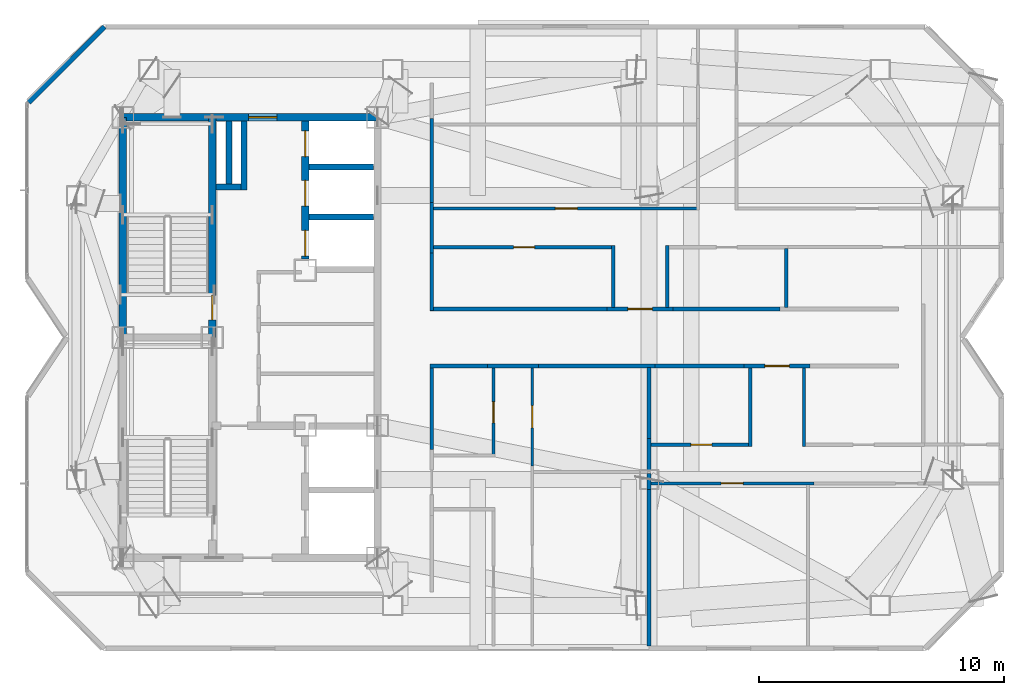
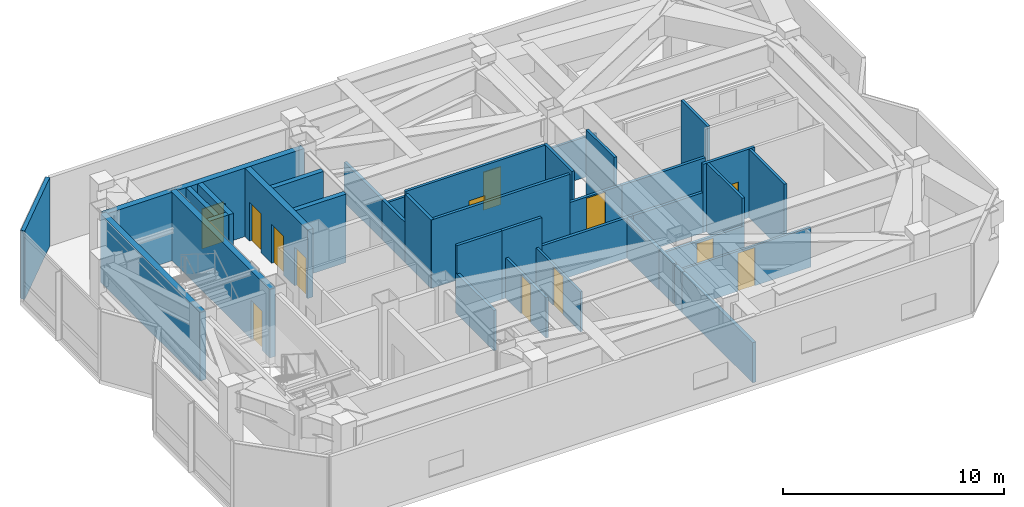
# One storey, part 11 of 15: 37 walls, 13 doors, 13 openings.
"""IFC4 building model written with IfcOpenShell, lengths in metres."""

from ifc_helpers import new_model, si_unit, direction, frame, frame_2d, origin, place, context, subcontext, project, spatial, rectangle, extrude, material, layer, layer_set, type_object, element, fill, save


model = new_model("IFC4")

# Units and contexts
model_context = context("Model", 3, precision=1e-05, world=origin(), true_north=direction((0.0, 1.0)))
body_context = subcontext(model_context, "Body", "Model", "MODEL_VIEW")
ifc_project = project(units=[si_unit("LENGTHUNIT", "METRE"), si_unit("AREAUNIT", "SQUARE_METRE"), si_unit("VOLUMEUNIT", "CUBIC_METRE"), si_unit("PLANEANGLEUNIT", "RADIAN"), si_unit("MASSUNIT", "GRAM", prefix="KILO")], contexts=[model_context])

# Site, building, storey
site_placement = place(None, origin())
site = spatial("IfcSite", under=ifc_project, at=site_placement, CompositionType="ELEMENT")
building_placement = place(site_placement, origin())
building = spatial("IfcBuilding", under=site, at=building_placement, Name="Khamvora Tower", CompositionType="ELEMENT")
storey_placement = place(building_placement, frame((0.0, 0.0, 290.449951171875)))
storey = spatial("IfcBuildingStorey", under=building, at=storey_placement, Name="L74", CompositionType="ELEMENT", Elevation=290.449951171875)

# Wall
ifc_material_1 = material(Name="Concrete C50/60", Category="concrete")
ifc_layer_1 = layer(ifc_material_1, 0.300048828125)
ifc_layer_set_1 = layer_set([ifc_layer_1], Name="Concrete C50/60")
wall_type_1 = type_object("IfcWallType", Name="WAL-CORE-300", PredefinedType="SHEAR", material=ifc_layer_set_1)
wall_1_placement = place(storey_placement, frame((29.0, 28.0, 0.0), z_axis=(0.0, 0.0, 1.0), x_axis=(0.0, 1.0, 0.0)))
element("IfcWall", 1, at=wall_1_placement, inside=storey, type_object=wall_type_1, Name="L74 central core west north wall", PredefinedType="SHEAR", context=body_context, shape_type="SweptSolid", body=[
    extrude(rectangle(XDim=9.0, YDim=0.300048828125, at=frame_2d((4.5, 0.0))), origin(), (0.0, 0.0, 1.0), 3.780029296875),
])

# Wall, opening, door
wall_2_placement = place(storey_placement, frame((29.0, 37.0, 0.0), z_axis=(0.0, 0.0, 1.0), x_axis=(1.0, 0.0, 0.0)))
wall_2 = element("IfcWall", 2, at=wall_2_placement, inside=storey, type_object=wall_type_1, Name="L74 central core north wall", PredefinedType="SHEAR", context=body_context, shape_type="SweptSolid", body=[
    extrude(rectangle(XDim=10.39990234375, YDim=0.300048828125, at=frame_2d((5.199951171875, 0.0))), origin(), (0.0, 0.0, 1.0), 3.780029296875),
])
opening_1_placement = place(wall_2_placement, frame((5.139892578125, 0.0, 0.0)))
opening_1 = element("IfcOpeningElement", 3, at=opening_1_placement, cuts=wall_2, Name="Opening D-SC1", PredefinedType="OPENING", context=body_context, shape_type="SweptSolid", body=[
    extrude(rectangle(XDim=1.14990234375, YDim=2.199951171875, at=frame_2d((0.574951171875, 1.10009765625))), frame((0.0, 0.159912109375, 0.0), z_axis=(0.0, -1.0, 0.0), x_axis=(1.0, 0.0, 0.0)), (0.0, 0.0, 1.0), 0.320068359375),
])
ifc_material_2 = material(Name="Powder-Coated Steel and Hardwood Leaf", Category="steel")
door_type_1 = type_object("IfcDoorType", Name="DOR-SCHL-1150", OperationType="NOTDEFINED", PredefinedType="DOOR", material=ifc_material_2)
door_1_placement = place(opening_1_placement, origin())
door_1 = element("IfcDoor", 4, at=door_1_placement, inside=storey, type_object=door_type_1, Name="L74 north core lobby to corridor fire door", OperationType="SINGLE_SWING_RIGHT", OverallHeight=2.199951171875, OverallWidth=1.14990234375, PredefinedType="DOOR", context=body_context, shape_type="SweptSolid", body=[
    extrude(rectangle(XDim=1.14990234375, YDim=2.199951171875, at=frame_2d((0.574951171875, 1.10009765625))), frame((0.0, 0.02490234375, 0.0), z_axis=(0.0, -1.0, 0.0), x_axis=(1.0, 0.0, 0.0)), (0.0, 0.0, 1.0), 0.050048828125),
])
fill(opening_1, door_1)

wall_3_placement = place(storey_placement, frame((32.64990234375, 28.0, 0.0), z_axis=(0.0, 0.0, 1.0), x_axis=(0.0, 1.0, 0.0)))
wall_3 = element("IfcWall", 5, at=wall_3_placement, inside=storey, type_object=wall_type_1, Name="L74 central core stair north spine wall", PredefinedType="SHEAR", context=body_context, shape_type="SweptSolid", body=[
    extrude(rectangle(XDim=9.0, YDim=0.300048828125, at=frame_2d((4.5, 0.0))), origin(), (0.0, 0.0, 1.0), 3.780029296875),
])
opening_2_placement = place(wall_3_placement, frame((0.719970703125, 0.0, 0.0)))
opening_2 = element("IfcOpeningElement", 6, at=opening_2_placement, cuts=wall_3, Name="Opening D-ST1", PredefinedType="OPENING", context=body_context, shape_type="SweptSolid", body=[
    extrude(rectangle(XDim=1.0, YDim=2.14990234375, at=frame_2d((0.5, 1.074951171875))), frame((0.0, 0.159912109375, 0.0), z_axis=(0.0, -1.0, 0.0), x_axis=(1.0, 0.0, 0.0)), (0.0, 0.0, 1.0), 0.320068359375),
])
door_type_2 = type_object("IfcDoorType", Name="DOR-STAIR-1000", OperationType="NOTDEFINED", PredefinedType="DOOR", material=ifc_material_2)
door_2_placement = place(opening_2_placement, origin())
door_2 = element("IfcDoor", 7, at=door_2_placement, inside=storey, type_object=door_type_2, Name="L74 exit stair ST-02 fire door", OperationType="SINGLE_SWING_RIGHT", OverallHeight=2.14990234375, OverallWidth=1.0, PredefinedType="DOOR", context=body_context, shape_type="SweptSolid", body=[
    extrude(rectangle(XDim=1.0, YDim=2.14990234375, at=frame_2d((0.5, 1.074951171875))), frame((0.0, 0.02490234375, 0.0), z_axis=(0.0, -1.0, 0.0), x_axis=(1.0, 0.0, 0.0)), (0.0, 0.0, 1.0), 0.050048828125),
])
fill(opening_2, door_2)

# Wall, openings, doors
wall_4_placement = place(storey_placement, frame((36.449951171875, 31.199951171875, 0.0), z_axis=(0.0, 0.0, 1.0), x_axis=(0.0, 1.0, 0.0)))
wall_4 = element("IfcWall", 8, at=wall_4_placement, inside=storey, type_object=wall_type_1, Name="L74 central core lift bank central wall", PredefinedType="SHEAR", context=body_context, shape_type="SweptSolid", body=[
    extrude(rectangle(XDim=5.64599609375, YDim=0.300048828125, at=frame_2d((2.822998046875, 0.0))), origin(), (0.0, 0.0, 1.0), 3.780029296875),
])
opening_3_placement = place(wall_4_placement, frame((0.125, 0.0, 0.0)))
opening_3 = element("IfcOpeningElement", 9, at=opening_3_placement, cuts=wall_4, Name="Opening LD-PL", PredefinedType="OPENING", context=body_context, shape_type="SweptSolid", body=[
    extrude(rectangle(XDim=1.050048828125, YDim=2.14990234375, at=frame_2d((0.52490234375, 1.074951171875))), frame((0.0, 0.159912109375, 0.0), z_axis=(0.0, -1.0, 0.0), x_axis=(1.0, 0.0, 0.0)), (0.0, 0.0, 1.0), 0.320068359375),
])
opening_4_placement = place(wall_4_placement, frame((2.175048828125, 0.0, 0.0)))
opening_4 = element("IfcOpeningElement", 10, at=opening_4_placement, cuts=wall_4, Name="Opening LD-PL", PredefinedType="OPENING", context=body_context, shape_type="SweptSolid", body=[
    extrude(rectangle(XDim=1.050048828125, YDim=2.14990234375, at=frame_2d((0.52490234375, 1.074951171875))), frame((0.0, 0.159912109375, 0.0), z_axis=(0.0, -1.0, 0.0), x_axis=(1.0, 0.0, 0.0)), (0.0, 0.0, 1.0), 0.320068359375),
])
opening_5_placement = place(wall_4_placement, frame((4.195068359375, 0.0, 0.0)))
opening_5 = element("IfcOpeningElement", 11, at=opening_5_placement, cuts=wall_4, Name="Opening LD-PL", PredefinedType="OPENING", context=body_context, shape_type="SweptSolid", body=[
    extrude(rectangle(XDim=1.050048828125, YDim=2.14990234375, at=frame_2d((0.52490234375, 1.074951171875))), frame((0.0, 0.159912109375, 0.0), z_axis=(0.0, -1.0, 0.0), x_axis=(1.0, 0.0, 0.0)), (0.0, 0.0, 1.0), 0.320068359375),
])
door_type_3 = type_object("IfcDoorType", Name="DOR-LIFT-1050", OperationType="SLIDING_TO_LEFT", PredefinedType="DOOR", material=ifc_material_2)
door_3_placement = place(opening_3_placement, origin())
door_3 = element("IfcDoor", 12, at=door_3_placement, inside=storey, type_object=door_type_3, Name="L74 lift landing sliding door PH-01", OperationType="SLIDING_TO_LEFT", OverallHeight=2.14990234375, OverallWidth=1.050048828125, PredefinedType="DOOR", context=body_context, shape_type="SweptSolid", body=[
    extrude(rectangle(XDim=1.050048828125, YDim=2.14990234375, at=frame_2d((0.52490234375, 1.074951171875))), frame((0.0, 0.02490234375, 0.0), z_axis=(0.0, -1.0, 0.0), x_axis=(1.0, 0.0, 0.0)), (0.0, 0.0, 1.0), 0.050048828125),
])
fill(opening_3, door_3)
door_4_placement = place(opening_4_placement, origin())
door_4 = element("IfcDoor", 13, at=door_4_placement, inside=storey, type_object=door_type_3, Name="L74 lift landing sliding door PH-02", OperationType="SLIDING_TO_LEFT", OverallHeight=2.14990234375, OverallWidth=1.050048828125, PredefinedType="DOOR", context=body_context, shape_type="SweptSolid", body=[
    extrude(rectangle(XDim=1.050048828125, YDim=2.14990234375, at=frame_2d((0.52490234375, 1.074951171875))), frame((0.0, 0.02490234375, 0.0), z_axis=(0.0, -1.0, 0.0), x_axis=(1.0, 0.0, 0.0)), (0.0, 0.0, 1.0), 0.050048828125),
])
fill(opening_4, door_4)
door_5_placement = place(opening_5_placement, origin())
door_5 = element("IfcDoor", 14, at=door_5_placement, inside=storey, type_object=door_type_3, Name="L74 lift landing sliding door PH-03", OperationType="SLIDING_TO_LEFT", OverallHeight=2.14990234375, OverallWidth=1.050048828125, PredefinedType="DOOR", context=body_context, shape_type="SweptSolid", body=[
    extrude(rectangle(XDim=1.050048828125, YDim=2.14990234375, at=frame_2d((0.52490234375, 1.074951171875))), frame((0.0, 0.02490234375, 0.0), z_axis=(0.0, -1.0, 0.0), x_axis=(1.0, 0.0, 0.0)), (0.0, 0.0, 1.0), 0.050048828125),
])
fill(opening_5, door_5)

# Walls
ifc_material_3 = material(Name="Fire-Rated Drywall and Steel Stud", Category="steel")
ifc_layer_2 = layer(ifc_material_3, 0.14990234375)
ifc_layer_set_2 = layer_set([ifc_layer_2], Name="Fire-Rated Drywall and Steel Stud")
wall_type_2 = type_object("IfcWallType", Name="WAL-CORR-150", PredefinedType="STANDARD", material=ifc_layer_set_2)
wall_5_placement = place(storey_placement, frame((45.97412109375, 26.8349609375, 0.0), z_axis=(0.0, 0.0, 1.0), x_axis=(-1.0, 0.0, 0.0)))
element("IfcWall", 15, at=wall_5_placement, inside=storey, type_object=wall_type_2, Name="L74 interior partition wall 008", PredefinedType="STANDARD", context=body_context, shape_type="SweptSolid", body=[
    extrude(rectangle(XDim=2.078125, YDim=0.14990234375, at=frame_2d((1.0390625, 0.0))), origin(), (0.0, 0.0, 1.0), 3.780029296875),
])
wall_6_placement = place(storey_placement, frame((43.89599609375, 26.8349609375, 0.0), z_axis=(0.0, 0.0, 1.0), x_axis=(-1.0, 0.0, 0.0)))
element("IfcWall", 16, at=wall_6_placement, inside=storey, type_object=wall_type_2, Name="L74 interior partition wall 010", PredefinedType="STANDARD", context=body_context, shape_type="SweptSolid", body=[
    extrude(rectangle(XDim=2.345947265625, YDim=0.14990234375, at=frame_2d((1.1728515625, 0.0))), origin(), (0.0, 0.0, 1.0), 3.780029296875),
])
wall_7_placement = place(storey_placement, frame((41.614990234375, 26.89794921875, 0.0), z_axis=(0.0, 0.0, 1.0), x_axis=(0.0, -1.0, 0.0)))
element("IfcWall", 17, at=wall_7_placement, inside=storey, type_object=wall_type_2, Name="L74 interior partition wall 011", PredefinedType="STANDARD", context=body_context, shape_type="SweptSolid", body=[
    extrude(rectangle(XDim=3.46484375, YDim=0.14990234375, at=frame_2d((1.732421875, 0.0))), origin(), (0.0, 0.0, 1.0), 2.219970703125),
])
wall_8_placement = place(storey_placement, frame((50.743896484375, 26.8349609375, 0.0), z_axis=(0.0, 0.0, 1.0), x_axis=(-1.0, 0.0, 0.0)))
element("IfcWall", 18, at=wall_8_placement, inside=storey, type_object=wall_type_2, Name="L74 interior partition wall 013", PredefinedType="STANDARD", context=body_context, shape_type="SweptSolid", body=[
    extrude(rectangle(XDim=4.769775390625, YDim=0.14990234375, at=frame_2d((2.384765625, 0.0))), origin(), (0.0, 0.0, 1.0), 2.219970703125),
])

# Wall, opening, door
wall_9_placement = place(storey_placement, frame((57.080078125, 26.8349609375, 0.0), z_axis=(0.0, 0.0, 1.0), x_axis=(-1.0, 0.0, 0.0)))
wall_9 = element("IfcWall", 19, at=wall_9_placement, inside=storey, type_object=wall_type_2, Name="L74 interior partition wall 014", PredefinedType="STANDARD", context=body_context, shape_type="SweptSolid", body=[
    extrude(rectangle(XDim=2.697998046875, YDim=0.14990234375, at=frame_2d((1.34912109375, 0.0))), origin(), (0.0, 0.0, 1.0), 3.780029296875),
])
opening_6_placement = place(wall_9_placement, frame((0.84912109375, 0.0, 0.0)))
opening_6 = element("IfcOpeningElement", 20, at=opening_6_placement, cuts=wall_9, Name="Opening D-U1", PredefinedType="OPENING", context=body_context, shape_type="SweptSolid", body=[
    extrude(rectangle(XDim=1.0, YDim=2.14990234375, at=frame_2d((0.5, 1.074951171875))), frame((0.0, 0.0849609375, 0.0), z_axis=(0.0, -1.0, 0.0), x_axis=(1.0, 0.0, 0.0)), (0.0, 0.0, 1.0), 0.169921875),
])
door_type_4 = type_object("IfcDoorType", Name="DOR-UNIT-1000", OperationType="NOTDEFINED", PredefinedType="DOOR", material=ifc_material_2)
door_6_placement = place(opening_6_placement, origin())
door_6 = element("IfcDoor", 21, at=door_6_placement, inside=storey, type_object=door_type_4, Name="L74 interior door COR-74DH", OperationType="SINGLE_SWING_LEFT", OverallHeight=2.14990234375, OverallWidth=1.0, PredefinedType="DOOR", context=body_context, shape_type="SweptSolid", body=[
    extrude(rectangle(XDim=1.0, YDim=2.14990234375, at=frame_2d((0.5, 1.074951171875))), frame((0.0, 0.02490234375, 0.0), z_axis=(0.0, -1.0, 0.0), x_axis=(1.0, 0.0, 0.0)), (0.0, 0.0, 1.0), 0.050048828125),
])
fill(opening_6, door_6)

# Wall
wall_10_placement = place(storey_placement, frame((54.382080078125, 26.8349609375, 0.0), z_axis=(0.0, 0.0, 1.0), x_axis=(-1.0, 0.0, 0.0)))
element("IfcWall", 22, at=wall_10_placement, inside=storey, type_object=wall_type_2, Name="L74 interior partition wall 015", PredefinedType="STANDARD", context=body_context, shape_type="SweptSolid", body=[
    extrude(rectangle(XDim=3.63818359375, YDim=0.14990234375, at=frame_2d((1.819091796875, 0.0))), origin(), (0.0, 0.0, 1.0), 2.219970703125),
])

# Wall, opening, door
wall_11_placement = place(storey_placement, frame((48.787109375, 29.1650390625, 0.0), z_axis=(0.0, 0.0, 1.0), x_axis=(1.0, 0.0, 0.0)))
wall_11 = element("IfcWall", 23, at=wall_11_placement, inside=storey, type_object=wall_type_2, Name="L74 interior partition wall 018", PredefinedType="STANDARD", context=body_context, shape_type="SweptSolid", body=[
    extrude(rectangle(XDim=2.697998046875, YDim=0.14990234375, at=frame_2d((1.34912109375, 0.0))), origin(), (0.0, 0.0, 1.0), 2.219970703125),
])
opening_7_placement = place(wall_11_placement, frame((0.84912109375, 0.0, 0.0)))
opening_7 = element("IfcOpeningElement", 24, at=opening_7_placement, cuts=wall_11, Name="Opening D-U1", PredefinedType="OPENING", context=body_context, shape_type="SweptSolid", body=[
    extrude(rectangle(XDim=1.0, YDim=2.14990234375, at=frame_2d((0.5, 1.074951171875))), frame((0.0, 0.0849609375, 0.0), z_axis=(0.0, -1.0, 0.0), x_axis=(1.0, 0.0, 0.0)), (0.0, 0.0, 1.0), 0.169921875),
])
door_7_placement = place(opening_7_placement, origin())
door_7 = element("IfcDoor", 25, at=door_7_placement, inside=storey, type_object=door_type_4, Name="L74 interior door COR-74EH", OperationType="SINGLE_SWING_RIGHT", OverallHeight=2.14990234375, OverallWidth=1.0, PredefinedType="DOOR", context=body_context, shape_type="SweptSolid", body=[
    extrude(rectangle(XDim=1.0, YDim=2.14990234375, at=frame_2d((0.5, 1.074951171875))), frame((0.0, 0.02490234375, 0.0), z_axis=(0.0, -1.0, 0.0), x_axis=(1.0, 0.0, 0.0)), (0.0, 0.0, 1.0), 0.050048828125),
])
fill(opening_7, door_7)

# Walls
wall_12_placement = place(storey_placement, frame((41.614990234375, 33.52392578125, 0.0), z_axis=(0.0, 0.0, 1.0), x_axis=(0.0, -1.0, 0.0)))
element("IfcWall", 26, at=wall_12_placement, inside=storey, type_object=wall_type_2, Name="L74 interior partition wall 019", PredefinedType="STANDARD", context=body_context, shape_type="SweptSolid", body=[
    extrude(rectangle(XDim=2.077880859375, YDim=0.14990234375, at=frame_2d((1.0390625, 0.0))), origin(), (0.0, 0.0, 1.0), 2.219970703125),
])
wall_13_placement = place(storey_placement, frame((51.485107421875, 29.1650390625, 0.0), z_axis=(0.0, 0.0, 1.0), x_axis=(1.0, 0.0, 0.0)))
element("IfcWall", 27, at=wall_13_placement, inside=storey, type_object=wall_type_2, Name="L74 interior partition wall 020", PredefinedType="STANDARD", context=body_context, shape_type="SweptSolid", body=[
    extrude(rectangle(XDim=4.366943359375, YDim=0.14990234375, at=frame_2d((2.18359375, 0.0))), origin(), (0.0, 0.0, 1.0), 2.219970703125),
])
wall_14_placement = place(storey_placement, frame((41.550048828125, 29.1650390625, 0.0), z_axis=(0.0, 0.0, 1.0), x_axis=(1.0, 0.0, 0.0)))
element("IfcWall", 28, at=wall_14_placement, inside=storey, type_object=wall_type_2, Name="L74 interior partition wall 021", PredefinedType="STANDARD", context=body_context, shape_type="SweptSolid", body=[
    extrude(rectangle(XDim=7.237060546875, YDim=0.14990234375, at=frame_2d((3.61865234375, 0.0))), origin(), (0.0, 0.0, 1.0), 3.780029296875),
])
wall_15_placement = place(storey_placement, frame((41.614990234375, 31.446044921875, 0.0), z_axis=(0.0, 0.0, 1.0), x_axis=(0.0, -1.0, 0.0)))
element("IfcWall", 29, at=wall_15_placement, inside=storey, type_object=wall_type_2, Name="L74 interior partition wall 022", PredefinedType="STANDARD", context=body_context, shape_type="SweptSolid", body=[
    extrude(rectangle(XDim=2.343994140625, YDim=0.14990234375, at=frame_2d((1.171875, 0.0))), origin(), (0.0, 0.0, 1.0), 3.780029296875),
])
wall_16_placement = place(storey_placement, frame((41.614990234375, 36.9599609375, 0.0), z_axis=(0.0, 0.0, 1.0), x_axis=(0.0, -1.0, 0.0)))
element("IfcWall", 30, at=wall_16_placement, inside=storey, type_object=wall_type_2, Name="L74 interior partition wall 023", PredefinedType="STANDARD", context=body_context, shape_type="SweptSolid", body=[
    extrude(rectangle(XDim=3.43603515625, YDim=0.14990234375, at=frame_2d((1.718017578125, 0.0))), origin(), (0.0, 0.0, 1.0), 2.219970703125),
])
ifc_material_4 = material(Name="Acoustic Double-Stud Fire Wall", Category="gypsum")
ifc_layer_3 = layer(ifc_material_4, 0.179931640625)
ifc_layer_set_3 = layer_set([ifc_layer_3], Name="Acoustic Double-Stud Fire Wall")
wall_type_3 = type_object("IfcWallType", Name="WAL-CORR-180", PredefinedType="STANDARD", material=ifc_layer_set_3)
wall_17_placement = place(storey_placement, frame((50.4951171875, 22.445068359375, 0.0), z_axis=(0.0, 0.0, 1.0), x_axis=(0.0, -1.0, 0.0)))
element("IfcWall", 31, at=wall_17_placement, inside=storey, type_object=wall_type_3, Name="L74 interior partition wall 032", PredefinedType="STANDARD", context=body_context, shape_type="SweptSolid", body=[
    extrude(rectangle(XDim=0.64697265625, YDim=0.179931640625, at=frame_2d((0.323486328125, 0.0))), origin(), (0.0, 0.0, 1.0), 2.219970703125),
])
wall_18_placement = place(storey_placement, frame((50.4951171875, 21.798095703125, 0.0), z_axis=(0.0, 0.0, 1.0), x_axis=(0.0, -1.0, 0.0)))
element("IfcWall", 32, at=wall_18_placement, inside=storey, type_object=wall_type_3, Name="L74 interior partition wall 033", PredefinedType="STANDARD", context=body_context, shape_type="SweptSolid", body=[
    extrude(rectangle(XDim=6.406005859375, YDim=0.179931640625, at=frame_2d((3.203125, 0.0))), origin(), (0.0, 0.0, 1.0), 2.219970703125),
])
wall_19_placement = place(storey_placement, frame((50.4951171875, 23.866943359375, 0.0), z_axis=(0.0, 0.0, 1.0), x_axis=(0.0, -1.0, 0.0)))
element("IfcWall", 33, at=wall_19_placement, inside=storey, type_object=wall_type_3, Name="L74 interior partition wall 034", PredefinedType="STANDARD", context=body_context, shape_type="SweptSolid", body=[
    extrude(rectangle(XDim=1.2919921875, YDim=0.179931640625, at=frame_2d((0.64599609375, 0.0))), origin(), (0.0, 0.0, 1.0), 2.219970703125),
])
wall_20_placement = place(storey_placement, frame((50.4951171875, 26.77001953125, 0.0), z_axis=(0.0, 0.0, 1.0), x_axis=(0.0, -1.0, 0.0)))
element("IfcWall", 34, at=wall_20_placement, inside=storey, type_object=wall_type_3, Name="L74 interior partition wall 035", PredefinedType="STANDARD", context=body_context, shape_type="SweptSolid", body=[
    extrude(rectangle(XDim=2.903076171875, YDim=0.179931640625, at=frame_2d((1.45166015625, 0.0))), origin(), (0.0, 0.0, 1.0), 2.219970703125),
])
ifc_material_5 = material(Name="Precast concrete C40/50", Category="concrete")
ifc_layer_4 = layer(ifc_material_5, 0.199951171875)
ifc_layer_set_4 = layer_set([ifc_layer_4], Name="Precast concrete C40/50")
wall_type_4 = type_object("IfcWallType", Name="WAL-EXT-200", PredefinedType="STANDARD", material=ifc_layer_set_4)
wall_21_placement = place(storey_placement, frame((25.14404296875, 37.60302734375, 0.0), z_axis=(0.0, 0.0, 1.0), x_axis=(0.707106781187, 0.707106781187, 0.0)))
element("IfcWall", 35, at=wall_21_placement, inside=storey, type_object=wall_type_4, Name="L74 exterior facade wall 06.1", PredefinedType="STANDARD", context=body_context, shape_type="SweptSolid", body=[
    extrude(rectangle(XDim=4.379638671875, YDim=0.199951171875, at=frame_2d((2.18994140625, 0.0))), origin(), (0.0, 0.0, 1.0), 3.780029296875),
])

# Wall, opening, door
ifc_material_6 = material(Name="Gypsum Plasterboard Partition", Category="gypsum")
ifc_layer_5 = layer(ifc_material_6, 0.1201171875)
ifc_layer_set_5 = layer_set([ifc_layer_5], Name="Gypsum Plasterboard Partition")
wall_type_5 = type_object("IfcWallType", Name="WAL-PART-120", PredefinedType="PARTITIONING", material=ifc_layer_set_5)
wall_22_placement = place(storey_placement, frame((45.72509765625, 26.77001953125, 0.0), z_axis=(0.0, 0.0, 1.0), x_axis=(0.0, -1.0, 0.0)))
wall_22 = element("IfcWall", 36, at=wall_22_placement, inside=storey, type_object=wall_type_5, Name="L74 interior partition wall 030", PredefinedType="PARTITIONING", context=body_context, shape_type="SweptSolid", body=[
    extrude(rectangle(XDim=4.010986328125, YDim=0.1201171875, at=frame_2d((2.00537109375, 0.0))), origin(), (0.0, 0.0, 1.0), 2.219970703125),
])
opening_8_placement = place(wall_22_placement, frame((1.555908203125, 0.0, 0.0)))
opening_8 = element("IfcOpeningElement", 37, at=opening_8_placement, cuts=wall_22, Name="Opening D-RM1", PredefinedType="OPENING", context=body_context, shape_type="SweptSolid", body=[
    extrude(rectangle(XDim=0.89990234375, YDim=2.10009765625, at=frame_2d((0.449951171875, 1.050048828125))), frame((0.0, 0.070068359375, 0.0), z_axis=(0.0, -1.0, 0.0), x_axis=(1.0, 0.0, 0.0)), (0.0, 0.0, 1.0), 0.14013671875),
])
door_type_5 = type_object("IfcDoorType", Name="DOR-ROOM-900", OperationType="NOTDEFINED", PredefinedType="DOOR", material=ifc_material_2)
door_8_placement = place(opening_8_placement, origin())
door_8 = element("IfcDoor", 38, at=door_8_placement, inside=storey, type_object=door_type_5, Name="L74 interior door 74CH-74CR2", OperationType="SINGLE_SWING_RIGHT", OverallHeight=2.10009765625, OverallWidth=0.89990234375, PredefinedType="DOOR", context=body_context, shape_type="SweptSolid", body=[
    extrude(rectangle(XDim=0.89990234375, YDim=2.10009765625, at=frame_2d((0.449951171875, 1.050048828125))), frame((0.0, 0.02490234375, 0.0), z_axis=(0.0, -1.0, 0.0), x_axis=(1.0, 0.0, 0.0)), (0.0, 0.0, 1.0), 0.050048828125),
])
fill(opening_8, door_8)

wall_23_placement = place(storey_placement, frame((57.240966796875, 22.0419921875, 0.0), z_axis=(0.0, 0.0, 1.0), x_axis=(-1.0, 0.0, 0.0)))
wall_23 = element("IfcWall", 39, at=wall_23_placement, inside=storey, type_object=wall_type_5, Name="L74 interior partition wall 042", PredefinedType="PARTITIONING", context=body_context, shape_type="SweptSolid", body=[
    extrude(rectangle(XDim=6.6640625, YDim=0.1201171875, at=frame_2d((3.33203125, 0.0))), origin(), (0.0, 0.0, 1.0), 2.219970703125),
])
opening_9_placement = place(wall_23_placement, frame((2.903076171875, 0.0, 0.0)))
opening_9 = element("IfcOpeningElement", 40, at=opening_9_placement, cuts=wall_23, Name="Opening D-RM1", PredefinedType="OPENING", context=body_context, shape_type="SweptSolid", body=[
    extrude(rectangle(XDim=0.89990234375, YDim=2.10009765625, at=frame_2d((0.449951171875, 1.050048828125))), frame((0.0, 0.070068359375, 0.0), z_axis=(0.0, -1.0, 0.0), x_axis=(1.0, 0.0, 0.0)), (0.0, 0.0, 1.0), 0.14013671875),
])
door_9_placement = place(opening_9_placement, origin())
door_9 = element("IfcDoor", 41, at=door_9_placement, inside=storey, type_object=door_type_5, Name="L74 interior door 74DH-74DR1", OperationType="SINGLE_SWING_LEFT", OverallHeight=2.10009765625, OverallWidth=0.89990234375, PredefinedType="DOOR", context=body_context, shape_type="SweptSolid", body=[
    extrude(rectangle(XDim=0.89990234375, YDim=2.10009765625, at=frame_2d((0.449951171875, 1.050048828125))), frame((0.0, 0.02490234375, 0.0), z_axis=(0.0, -1.0, 0.0), x_axis=(1.0, 0.0, 0.0)), (0.0, 0.0, 1.0), 0.050048828125),
])
fill(opening_9, door_9)

wall_24_placement = place(storey_placement, frame((41.681884765625, 33.27490234375, 0.0), z_axis=(0.0, 0.0, 1.0), x_axis=(1.0, 0.0, 0.0)))
wall_24 = element("IfcWall", 42, at=wall_24_placement, inside=storey, type_object=wall_type_5, Name="L74 interior partition wall 051", PredefinedType="PARTITIONING", context=body_context, shape_type="SweptSolid", body=[
    extrude(rectangle(XDim=10.883056640625, YDim=0.1201171875, at=frame_2d((5.44140625, 0.0))), origin(), (0.0, 0.0, 1.0), 2.219970703125),
])
opening_10_placement = place(wall_24_placement, frame((4.990966796875, 0.0, 0.0)))
opening_10 = element("IfcOpeningElement", 43, at=opening_10_placement, cuts=wall_24, Name="Opening D-RM1", PredefinedType="OPENING", context=body_context, shape_type="SweptSolid", body=[
    extrude(rectangle(XDim=0.89990234375, YDim=2.10009765625, at=frame_2d((0.449951171875, 1.050048828125))), frame((0.0, 0.070068359375, 0.0), z_axis=(0.0, -1.0, 0.0), x_axis=(1.0, 0.0, 0.0)), (0.0, 0.0, 1.0), 0.14013671875),
])
door_10_placement = place(opening_10_placement, origin())
door_10 = element("IfcDoor", 44, at=door_10_placement, inside=storey, type_object=door_type_5, Name="L74 interior door 74EH-74ER1", OperationType="SINGLE_SWING_RIGHT", OverallHeight=2.10009765625, OverallWidth=0.89990234375, PredefinedType="DOOR", context=body_context, shape_type="SweptSolid", body=[
    extrude(rectangle(XDim=0.89990234375, YDim=2.10009765625, at=frame_2d((0.449951171875, 1.050048828125))), frame((0.0, 0.02490234375, 0.0), z_axis=(0.0, -1.0, 0.0), x_axis=(1.0, 0.0, 0.0)), (0.0, 0.0, 1.0), 0.050048828125),
])
fill(opening_10, door_10)

# Walls
ifc_material_7 = material(Name="Concrete C40/50", Category="concrete")
ifc_layer_6 = layer(ifc_material_7, 0.25)
ifc_layer_set_6 = layer_set([ifc_layer_6], Name="Concrete C40/50")
wall_type_6 = type_object("IfcWallType", Name="WAL-PODS-250", PredefinedType="SHEAR", material=ifc_layer_set_6)
for number, where, z_axis, x_axis, name in (
    (45, (36.60400390625, 32.925048828125, 0.0), (0.0, 0.0, 1.0), (1.0, 0.0, 0.0), "L74 lift shaft divider wall PH-01"),
    (46, (36.60400390625, 34.97509765625, 0.0), (0.0, 0.0, 1.0), (1.0, 0.0, 0.0), "L74 lift shaft divider wall PH-02"),
):
    element("IfcWall", number, at=place(storey_placement, frame(where, z_axis=z_axis, x_axis=x_axis)), inside=storey, type_object=wall_type_6, Name=name, PredefinedType="SHEAR", context=body_context, shape_type="SweptSolid", body=[
        extrude(rectangle(XDim=2.64208984375, YDim=0.25, at=frame_2d((1.321044921875, 0.0))), origin(), (0.0, 0.0, 1.0), 3.780029296875),
    ])
wall_25_placement = place(storey_placement, frame((33.955078125, 34.02490234375, 0.0), z_axis=(0.0, 0.0, 1.0), x_axis=(0.0, 1.0, 0.0)))
element("IfcWall", 47, at=wall_25_placement, inside=storey, type_object=wall_type_6, Name="L74 vertical MEP riser shaft east enclosure wall", PredefinedType="SHEAR", context=body_context, shape_type="SweptSolid", body=[
    extrude(rectangle(XDim=2.821044921875, YDim=0.25, at=frame_2d((1.41064453125, 0.0))), origin(), (0.0, 0.0, 1.0), 3.780029296875),
])
wall_26_placement = place(storey_placement, frame((32.803955078125, 34.14990234375, 0.0), z_axis=(0.0, 0.0, 1.0), x_axis=(1.0, 0.0, 0.0)))
element("IfcWall", 48, at=wall_26_placement, inside=storey, type_object=wall_type_6, Name="L74 vertical MEP riser shaft south enclosure wall", PredefinedType="SHEAR", context=body_context, shape_type="SweptSolid", body=[
    extrude(rectangle(XDim=1.02197265625, YDim=0.25, at=frame_2d((0.510986328125, 0.0))), origin(), (0.0, 0.0, 1.0), 3.780029296875),
])
wall_27_placement = place(storey_placement, frame((33.340087890625, 34.279052734375, 0.0), z_axis=(0.0, 0.0, 1.0), x_axis=(0.0, 1.0, 0.0)))
element("IfcWall", 49, at=wall_27_placement, inside=storey, type_object=wall_type_6, Name="L74 vertical MEP riser shaft divider enclosure wall", PredefinedType="SHEAR", context=body_context, shape_type="SweptSolid", body=[
    extrude(rectangle(XDim=2.56689453125, YDim=0.25, at=frame_2d((1.283447265625, 0.0))), origin(), (0.0, 0.0, 1.0), 3.780029296875),
])

# Wall, opening, door
ifc_material_8 = material(Name="Moisture-Resistant Plasterboard Partition", Category="gypsum")
ifc_layer_7 = layer(ifc_material_8, 0.135009765625)
ifc_layer_set_7 = layer_set([ifc_layer_7], Name="Moisture-Resistant Plasterboard Partition")
wall_type_7 = type_object("IfcWallType", Name="WAL-WET-135", PredefinedType="PARTITIONING", material=ifc_layer_set_7)
wall_28_placement = place(storey_placement, frame((44.14501953125, 23.118896484375, 0.0), z_axis=(0.0, 0.0, 1.0), x_axis=(0.0, 1.0, 0.0)))
wall_28 = element("IfcWall", 50, at=wall_28_placement, inside=storey, type_object=wall_type_7, Name="L74 interior partition wall 026", PredefinedType="PARTITIONING", context=body_context, shape_type="SweptSolid", body=[
    extrude(rectangle(XDim=3.651123046875, YDim=0.135009765625, at=frame_2d((1.82568359375, 0.0))), origin(), (0.0, 0.0, 1.0), 2.219970703125),
])
opening_11_placement = place(wall_28_placement, frame((1.39990234375, 0.0, 0.0)))
opening_11 = element("IfcOpeningElement", 51, at=opening_11_placement, cuts=wall_28, Name="Opening D-WC1", PredefinedType="OPENING", context=body_context, shape_type="SweptSolid", body=[
    extrude(rectangle(XDim=0.85009765625, YDim=2.10009765625, at=frame_2d((0.425048828125, 1.050048828125))), frame((0.0, 0.077392578125, 0.0), z_axis=(0.0, -1.0, 0.0), x_axis=(1.0, 0.0, 0.0)), (0.0, 0.0, 1.0), 0.155029296875),
])
door_type_6 = type_object("IfcDoorType", Name="DOR-WET-850", OperationType="NOTDEFINED", PredefinedType="DOOR", material=ifc_material_2)
door_11_placement = place(opening_11_placement, origin())
door_11 = element("IfcDoor", 52, at=door_11_placement, inside=storey, type_object=door_type_6, Name="L74 interior door 74CH-74CB", OperationType="SINGLE_SWING_LEFT", OverallHeight=2.10009765625, OverallWidth=0.85009765625, PredefinedType="DOOR", context=body_context, shape_type="SweptSolid", body=[
    extrude(rectangle(XDim=0.85009765625, YDim=2.10009765625, at=frame_2d((0.425048828125, 1.050048828125))), frame((0.0, 0.02490234375, 0.0), z_axis=(0.0, -1.0, 0.0), x_axis=(1.0, 0.0, 0.0)), (0.0, 0.0, 1.0), 0.050048828125),
])
fill(opening_11, door_11)

wall_29_placement = place(storey_placement, frame((50.576904296875, 23.6220703125, 0.0), z_axis=(0.0, 0.0, 1.0), x_axis=(1.0, 0.0, 0.0)))
wall_29 = element("IfcWall", 53, at=wall_29_placement, inside=storey, type_object=wall_type_7, Name="L74 interior partition wall 038", PredefinedType="PARTITIONING", context=body_context, shape_type="SweptSolid", body=[
    extrude(rectangle(XDim=4.119140625, YDim=0.135009765625, at=frame_2d((2.0595703125, 0.0))), origin(), (0.0, 0.0, 1.0), 2.219970703125),
])
opening_12_placement = place(wall_29_placement, frame((1.634033203125, 0.0, 0.0)))
opening_12 = element("IfcOpeningElement", 54, at=opening_12_placement, cuts=wall_29, Name="Opening D-WC1", PredefinedType="OPENING", context=body_context, shape_type="SweptSolid", body=[
    extrude(rectangle(XDim=0.85009765625, YDim=2.10009765625, at=frame_2d((0.425048828125, 1.050048828125))), frame((0.0, 0.077392578125, 0.0), z_axis=(0.0, -1.0, 0.0), x_axis=(1.0, 0.0, 0.0)), (0.0, 0.0, 1.0), 0.155029296875),
])
door_12_placement = place(opening_12_placement, origin())
door_12 = element("IfcDoor", 55, at=door_12_placement, inside=storey, type_object=door_type_6, Name="L74 interior door 74DH-74DB", OperationType="SINGLE_SWING_LEFT", OverallHeight=2.10009765625, OverallWidth=0.85009765625, PredefinedType="DOOR", context=body_context, shape_type="SweptSolid", body=[
    extrude(rectangle(XDim=0.85009765625, YDim=2.10009765625, at=frame_2d((0.425048828125, 1.050048828125))), frame((0.0, 0.02490234375, 0.0), z_axis=(0.0, -1.0, 0.0), x_axis=(1.0, 0.0, 0.0)), (0.0, 0.0, 1.0), 0.050048828125),
])
fill(opening_12, door_12)

# Walls
for number, where, z_axis, x_axis, name in (
    (56, (54.631103515625, 23.556884765625, 0.0), (0.0, 0.0, 1.0), (0.0, 1.0, 0.0), "L74 interior partition wall 039"),
    (57, (56.8310546875, 26.77001953125, 0.0), (0.0, 0.0, 1.0), (0.0, -1.0, 0.0), "L74 interior partition wall 040"),
):
    element("IfcWall", number, at=place(storey_placement, frame(where, z_axis=z_axis, x_axis=x_axis)), inside=storey, type_object=wall_type_7, Name=name, PredefinedType="PARTITIONING", context=body_context, shape_type="SweptSolid", body=[
        extrude(rectangle(XDim=3.213134765625, YDim=0.135009765625, at=frame_2d((1.6064453125, 0.0))), origin(), (0.0, 0.0, 1.0), 3.780029296875),
    ])
wall_30_placement = place(storey_placement, frame((56.10107421875, 29.22998046875, 0.0), z_axis=(0.0, 0.0, 1.0), x_axis=(0.0, 1.0, 0.0)))
element("IfcWall", 58, at=wall_30_placement, inside=storey, type_object=wall_type_7, Name="L74 interior partition wall 046", PredefinedType="PARTITIONING", context=body_context, shape_type="SweptSolid", body=[
    extrude(rectangle(XDim=2.39990234375, YDim=0.135009765625, at=frame_2d((1.199951171875, 0.0))), origin(), (0.0, 0.0, 1.0), 3.780029296875),
])
for number, where, z_axis, x_axis, name in (
    (59, (51.236083984375, 31.760009765625, 0.0), (0.0, 0.0, 1.0), (0.0, -1.0, 0.0), "L74 interior partition wall 048"),
    (60, (49.035888671875, 29.22998046875, 0.0), (0.0, 0.0, 1.0), (0.0, 1.0, 0.0), "L74 interior partition wall 049"),
):
    element("IfcWall", number, at=place(storey_placement, frame(where, z_axis=z_axis, x_axis=x_axis)), inside=storey, type_object=wall_type_7, Name=name, PredefinedType="PARTITIONING", context=body_context, shape_type="SweptSolid", body=[
        extrude(rectangle(XDim=2.530029296875, YDim=0.135009765625, at=frame_2d((1.26513671875, 0.0))), origin(), (0.0, 0.0, 1.0), 3.780029296875),
    ])

# Wall, opening, door
wall_31_placement = place(storey_placement, frame((49.10107421875, 31.695068359375, 0.0), z_axis=(0.0, 0.0, 1.0), x_axis=(-1.0, 0.0, 0.0)))
wall_31 = element("IfcWall", 61, at=wall_31_placement, inside=storey, type_object=wall_type_7, Name="L74 interior partition wall 050", PredefinedType="PARTITIONING", context=body_context, shape_type="SweptSolid", body=[
    extrude(rectangle(XDim=7.419189453125, YDim=0.135009765625, at=frame_2d((3.70947265625, 0.0))), origin(), (0.0, 0.0, 1.0), 3.780029296875),
])
opening_13_placement = place(wall_31_placement, frame((3.283935546875, 0.0, 0.0)))
opening_13 = element("IfcOpeningElement", 62, at=opening_13_placement, cuts=wall_31, Name="Opening D-RM2", PredefinedType="OPENING", context=body_context, shape_type="SweptSolid", body=[
    extrude(rectangle(XDim=0.85009765625, YDim=2.10009765625, at=frame_2d((0.425048828125, 1.050048828125))), frame((0.0, 0.077392578125, 0.0), z_axis=(0.0, -1.0, 0.0), x_axis=(1.0, 0.0, 0.0)), (0.0, 0.0, 1.0), 0.155029296875),
])
door_type_7 = type_object("IfcDoorType", Name="DOR-ROOM-850", OperationType="NOTDEFINED", PredefinedType="DOOR", material=ifc_material_2)
door_13_placement = place(opening_13_placement, origin())
door_13 = element("IfcDoor", 63, at=door_13_placement, inside=storey, type_object=door_type_7, Name="L74 interior door 74EH-74EK", OperationType="SINGLE_SWING_LEFT", OverallHeight=2.10009765625, OverallWidth=0.85009765625, PredefinedType="DOOR", context=body_context, shape_type="SweptSolid", body=[
    extrude(rectangle(XDim=0.85009765625, YDim=2.10009765625, at=frame_2d((0.425048828125, 1.050048828125))), frame((0.0, 0.02490234375, 0.0), z_axis=(0.0, -1.0, 0.0), x_axis=(1.0, 0.0, 0.0)), (0.0, 0.0, 1.0), 0.050048828125),
])
fill(opening_13, door_13)

save(model, "model.ifc")
